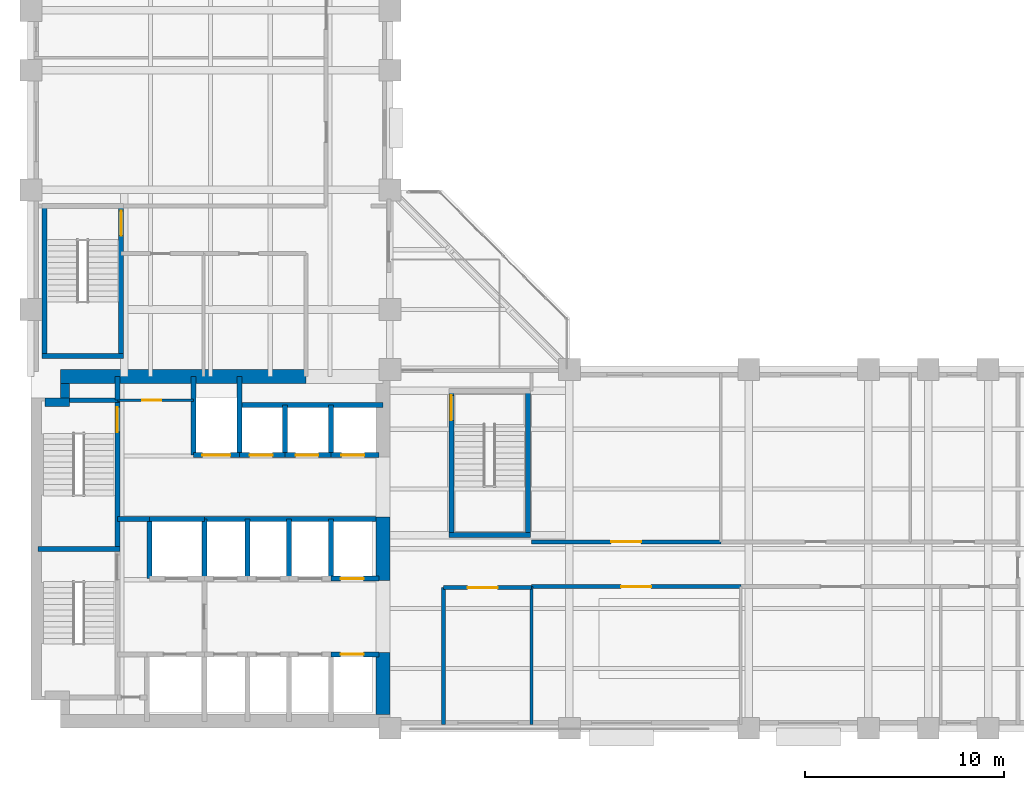
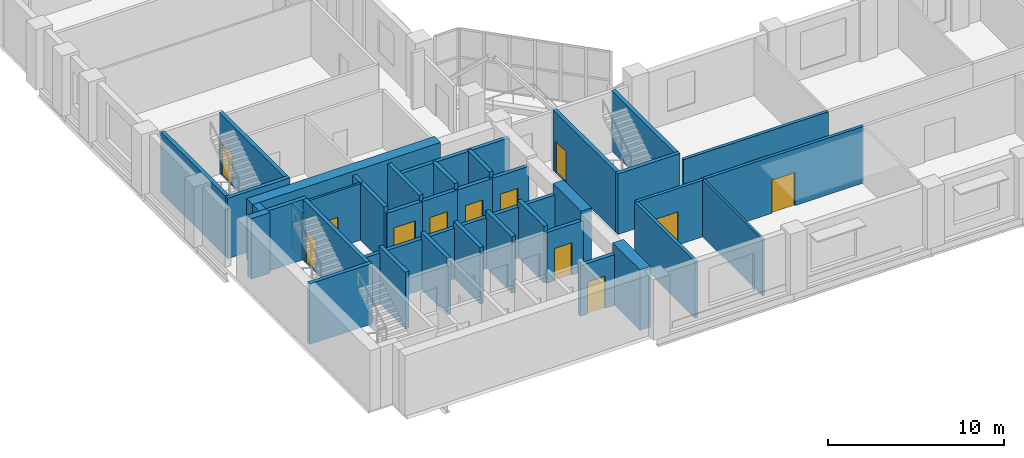
# One storey, part 5 of 10: 40 walls, 13 doors, 13 openings.
"""IFC4 building model written with IfcOpenShell, lengths in metres."""

import ifcopenshell
import ifcopenshell.guid

model = None  # the IFC model being written
_history = None  # IfcOwnerHistory: only IFC2X3 demands one
_inside = {}  # id of a spatial element -> (the spatial element, [elements in it])
_under = {}  # id of a project, library or spatial element -> (it, [spatial elements below it])
_declared = {}  # id of a project -> (the project, [libraries it declares])
_typed = {}  # id of a type object -> (the type object, [elements of that type])
_made_of = {}  # id of a material, layer set ... -> (it, [elements and type objects made of it])


def new_model(schema):
    """Start an empty IFC model of exactly this schema.

    Asked for "IFC4X3", IfcOpenShell would pick the latest addendum, in which some entities
    have other attributes; the version numbers below select the first issue.
    IFC2X3 requires an IfcOwnerHistory on every rooted entity: one is made here for all.
    """
    global model, _history
    if schema == "IFC4X3":
        model = ifcopenshell.file(schema_version=(4, 3, 0, 0))
    else:
        model = ifcopenshell.file(schema=schema)
    _inside.clear()
    _under.clear()
    _declared.clear()
    _typed.clear()
    _made_of.clear()
    _history = None
    if model.schema == "IFC2X3":
        org = make("IfcOrganization", Name="unknown")
        user = make(
            "IfcPersonAndOrganization",
            ThePerson=make("IfcPerson", FamilyName="unknown"),
            TheOrganization=org,
        )
        app = make(
            "IfcApplication",
            ApplicationDeveloper=org,
            Version="unknown",
            ApplicationFullName="unknown",
            ApplicationIdentifier="unknown",
        )
        _history = make(
            "IfcOwnerHistory",
            OwningUser=user,
            OwningApplication=app,
            ChangeAction="ADDED",
            CreationDate=0,
        )
    return model


def make(cls, **values):
    """One entity of the class cls with the attributes given. An attribute that is None is left unset."""
    return model.create_entity(
        cls, **{name: value for name, value in values.items() if value is not None}
    )


def rooted(cls, **values):
    """An entity with a GlobalId (a new one), such as an element, a storey or a relation."""
    return make(cls, GlobalId=ifcopenshell.guid.new(), OwnerHistory=_history, **values)


def si_unit(unit_type, name, prefix=None):
    """IfcSIUnit, for example si_unit("LENGTHUNIT", "METRE", prefix="MILLI")."""
    return make("IfcSIUnit", UnitType=unit_type, Prefix=prefix, Name=name)


def assignment(units):
    """IfcUnitAssignment: the units of a project."""
    return None if units is None else make("IfcUnitAssignment", Units=units)


def point(xyz):
    """IfcCartesianPoint."""
    return None if xyz is None else make("IfcCartesianPoint", Coordinates=xyz)


def direction(xyz):
    """IfcDirection."""
    return None if xyz is None else make("IfcDirection", DirectionRatios=xyz)


def frame(location, z_axis=None, x_axis=None):
    """IfcAxis2Placement3D, a coordinate frame: its origin and axes. An axis left out is left unset."""
    return make(
        "IfcAxis2Placement3D",
        Location=point(location),
        Axis=direction(z_axis),
        RefDirection=direction(x_axis),
    )


def frame_2d(location, x_axis=None):
    """IfcAxis2Placement2D, a coordinate frame in the plane: its origin and x axis."""
    return make(
        "IfcAxis2Placement2D", Location=point(location), RefDirection=direction(x_axis)
    )


def origin():
    """The frame at (0, 0, 0) with its axes left unset."""
    return frame((0.0, 0.0, 0.0))


def place(relative_to, where):
    """IfcLocalPlacement: puts the frame where relative to a parent placement (None: the world)."""
    return make(
        "IfcLocalPlacement", PlacementRelTo=relative_to, RelativePlacement=where
    )


def context(
    kind, dimensions, precision=None, world=None, true_north=None, identifier=None
):
    """IfcGeometricRepresentationContext, for example the 3D "Model" context."""
    return make(
        "IfcGeometricRepresentationContext",
        ContextIdentifier=identifier,
        ContextType=kind,
        CoordinateSpaceDimension=dimensions,
        Precision=precision,
        WorldCoordinateSystem=world,
        TrueNorth=true_north,
    )


def subcontext(parent, identifier, kind, view, scale=None):
    """IfcGeometricRepresentationSubContext, for example "Body" below "Model"."""
    return make(
        "IfcGeometricRepresentationSubContext",
        ContextIdentifier=identifier,
        ContextType=kind,
        ParentContext=parent,
        TargetScale=scale,
        TargetView=view,
    )


def project(units=None, contexts=None):
    """IfcProject with its units and contexts."""
    return rooted(
        "IfcProject",
        Name="project",
        RepresentationContexts=contexts,
        UnitsInContext=assignment(units),
    )


def spatial(cls, under=None, at=None, **own):
    """A site, building, storey or space (cls), placed at a placement, below another one or the project."""
    s = rooted(cls, ObjectPlacement=at, **own)
    if under is not None:
        _under.setdefault(under.id(), (under, []))[1].append(s)
    return s


def profile(cls, at=None, kind="AREA", **sizes):
    """A parametric profile (cls). Its sizes go by their IFC names, for example OverallWidth=200.0."""
    return make(cls, ProfileType=kind, Position=at, **sizes)


def rectangle(**sizes):
    """IfcRectangleProfileDef."""
    return profile("IfcRectangleProfileDef", **sizes)


def extrude(swept, where, along, depth):
    """IfcExtrudedAreaSolid: the profile swept, set in the frame where, extruded along a direction by depth."""
    return make(
        "IfcExtrudedAreaSolid",
        SweptArea=swept,
        Position=where,
        ExtrudedDirection=direction(along),
        Depth=depth,
    )


def shape(context_of_items, identifier, shape_type, items):
    """IfcShapeRepresentation: the items that make up one representation, for example the "Body"."""
    return make(
        "IfcShapeRepresentation",
        ContextOfItems=context_of_items,
        RepresentationIdentifier=identifier,
        RepresentationType=shape_type,
        Items=items,
    )


def material(Name=None, Category=None):
    """IfcMaterial."""
    return make("IfcMaterial", Name=Name, Category=Category)


def layer(
    of_material, thickness, ventilated=None, Name=None, Category=None, Priority=None
):
    """IfcMaterialLayer: one layer of a wall or slab, of a material (None: an air gap)."""
    return make(
        "IfcMaterialLayer",
        Material=of_material,
        LayerThickness=thickness,
        IsVentilated=ventilated,
        Name=Name,
        Category=Category,
        Priority=Priority,
    )


def layer_set(layers, Name=None):
    """IfcMaterialLayerSet."""
    return make("IfcMaterialLayerSet", MaterialLayers=layers, LayerSetName=Name)


def made_of(thing, what):
    """Note that an element or type object is made of a material, layer set ...; save() writes the relation."""
    if what is not None:
        _made_of.setdefault(what.id(), (what, []))[1].append(thing)
    return thing


def type_object(cls, material=None, **own):
    """A type object (cls), such as IfcWallType, which elements share."""
    return made_of(rooted(cls, **own), material)


def element(
    cls,
    number,
    at=None,
    inside=None,
    cuts=None,
    type_object=None,
    material=None,
    context=None,
    identifier="Body",
    shape_type=None,
    held_by="IfcProductDefinitionShape",
    body=None,
    shapes=None,
    **own,
):
    """One element of the class cls, such as IfcWall. Its Tag is "e" and its number.

    at: its placement. inside: the storey or other place that contains it. cuts: it is an
    opening in that element (IfcRelVoidsElement). A single representation is given by context,
    identifier, shape_type and body (its items); several are given by shapes. held_by: the class
    of the entity that holds the representations. save() writes the other relations.
    """
    e = rooted(cls, Tag="e%d" % number, ObjectPlacement=at, **own)
    if body is not None:
        shapes = [shape(context, identifier, shape_type, body)]
    if shapes is not None:
        e.Representation = make(held_by, Representations=shapes)
    if inside is not None:
        _inside.setdefault(inside.id(), (inside, []))[1].append(e)
    if cuts is not None:
        rooted(
            "IfcRelVoidsElement", RelatingBuildingElement=cuts, RelatedOpeningElement=e
        )
    if type_object is not None:
        _typed.setdefault(type_object.id(), (type_object, []))[1].append(e)
    return made_of(e, material)


def fill(opening, filler):
    """IfcRelFillsElement: the door or window that sits in an opening."""
    return rooted(
        "IfcRelFillsElement",
        RelatingOpeningElement=opening,
        RelatedBuildingElement=filler,
    )


def aggregate(whole, parts):
    """IfcRelAggregates: a whole, such as a stair, and the parts it consists of."""
    return rooted("IfcRelAggregates", RelatingObject=whole, RelatedObjects=parts)


def save(model, path):
    """Write the relations noted so far, then the file.

    IfcRelAggregates (storeys below a building ...), IfcRelContainedInSpatialStructure (elements
    in a storey), IfcRelDefinesByType, IfcRelAssociatesMaterial and IfcRelDeclares: one each for
    every whole, place, type object, material and project.
    """
    for whole, parts in _under.values():
        aggregate(whole, parts)
    for where, things in _inside.values():
        rooted(
            "IfcRelContainedInSpatialStructure",
            RelatedElements=things,
            RelatingStructure=where,
        )
    for kind, things in _typed.values():
        rooted("IfcRelDefinesByType", RelatedObjects=things, RelatingType=kind)
    for what, things in _made_of.values():
        rooted("IfcRelAssociatesMaterial", RelatedObjects=things, RelatingMaterial=what)
    for by, libraries in _declared.values():
        rooted("IfcRelDeclares", RelatingContext=by, RelatedDefinitions=libraries)
    model.write(path)


model = new_model("IFC4")

# Units and contexts
model_context = context("Model", 3, precision=1e-05, world=origin(), true_north=direction((0.0, 1.0)))
body_context = subcontext(model_context, "Body", "Model", "MODEL_VIEW")
ifc_project = project(units=[si_unit("LENGTHUNIT", "METRE"), si_unit("AREAUNIT", "SQUARE_METRE"), si_unit("VOLUMEUNIT", "CUBIC_METRE"), si_unit("PLANEANGLEUNIT", "RADIAN"), si_unit("MASSUNIT", "GRAM", prefix="KILO")], contexts=[model_context])

# Site, building, storey
site_placement = place(None, origin())
site = spatial("IfcSite", under=ifc_project, at=site_placement, CompositionType="ELEMENT")
building_placement = place(site_placement, origin())
building = spatial("IfcBuilding", under=site, at=building_placement, Name="Mawjdan Bourse Tower", CompositionType="ELEMENT")
storey_placement = place(building_placement, frame((0.0, 0.0, 89.10009765625)))
storey = spatial("IfcBuildingStorey", under=building, at=storey_placement, Name="L20", CompositionType="ELEMENT", Elevation=89.10009765625)

# Wall, opening, door
ifc_material_1 = material(Name="Gypsum Fireboard Assembly")
ifc_layer_1 = layer(ifc_material_1, 0.199951171875)
ifc_layer_set_1 = layer_set([ifc_layer_1], Name="Gypsum Fireboard Assembly")
wall_type_1 = type_object("IfcWallType", Name="WL-CMP-200", PredefinedType="PARTITIONING", material=ifc_layer_set_1)
wall_1_placement = place(storey_placement, frame((26.699951171875, 10.050048828125, 0.0), z_axis=(0.0, 0.0, 1.0), x_axis=(1.0, 0.0, 0.0)))
wall_1 = element("IfcWall", 1, at=wall_1_placement, inside=storey, type_object=wall_type_1, Name="L20 Sky Lobby North Wall", PredefinedType="PARTITIONING", context=body_context, shape_type="SweptSolid", body=[
    extrude(rectangle(XDim=4.400146484375, YDim=0.199951171875, at=frame_2d((2.2001953125, 0.0))), origin(), (0.0, 0.0, 1.0), 3.929931640625),
])
opening_1_placement = place(wall_1_placement, frame((1.199951171875, 0.0, 0.0)))
opening_1 = element("IfcOpeningElement", 2, at=opening_1_placement, cuts=wall_1, Name="Opening D-L20-26", PredefinedType="OPENING", context=body_context, shape_type="SweptSolid", body=[
    extrude(rectangle(XDim=1.5, YDim=2.300048828125, at=frame_2d((0.75, 1.14990234375))), frame((0.0, 0.10986328125, 0.0), z_axis=(0.0, -1.0, 0.0), x_axis=(1.0, 0.0, 0.0)), (0.0, 0.0, 1.0), 0.219970703125),
])
ifc_material_2 = material(Name="Acoustic Glazed Timber", Category="wood")
door_type_1 = type_object("IfcDoorType", Name="DR-CNF-1500", OperationType="DOUBLE_DOOR_SINGLE_SWING", PredefinedType="DOOR", material=ifc_material_2)
door_1_placement = place(opening_1_placement, origin())
door_1 = element("IfcDoor", 3, at=door_1_placement, inside=storey, type_object=door_type_1, Name="L20 Sky Lobby Corridor Door D-L20-26", OperationType="DOUBLE_DOOR_SINGLE_SWING", OverallHeight=2.300048828125, OverallWidth=1.5, PredefinedType="DOOR", context=body_context, shape_type="SweptSolid", body=[
    extrude(rectangle(XDim=1.5, YDim=2.300048828125, at=frame_2d((0.75, 1.14990234375))), frame((0.0, 0.02490234375, 0.0), z_axis=(0.0, -1.0, 0.0), x_axis=(1.0, 0.0, 0.0)), (0.0, 0.0, 1.0), 0.050048828125),
])
fill(opening_1, door_1)

# Wall
wall_2_placement = place(storey_placement, frame((26.699951171875, 3.179931640625, 0.0), z_axis=(0.0, 0.0, 1.0), x_axis=(0.0, 1.0, 0.0)))
element("IfcWall", 4, at=wall_2_placement, inside=storey, type_object=wall_type_1, Name="L20 Sky Lobby West Wall", PredefinedType="PARTITIONING", context=body_context, shape_type="SweptSolid", body=[
    extrude(rectangle(XDim=6.8701171875, YDim=0.199951171875, at=frame_2d((3.43505859375, 0.0))), origin(), (0.0, 0.0, 1.0), 3.929931640625),
])

# Wall, opening, door
wall_3_placement = place(storey_placement, frame((31.10009765625, 10.10009765625, 0.0), z_axis=(0.0, 0.0, 1.0), x_axis=(1.0, 0.0, 0.0)))
wall_3 = element("IfcWall", 5, at=wall_3_placement, inside=storey, type_object=wall_type_1, Name="L20 Sky Lobby Corridor Wall", PredefinedType="PARTITIONING", context=body_context, shape_type="SweptSolid", body=[
    extrude(rectangle(XDim=10.5, YDim=0.199951171875, at=frame_2d((5.25, 0.0))), origin(), (0.0, 0.0, 1.0), 3.929931640625),
])
opening_2_placement = place(wall_3_placement, frame((4.5, 0.0, 0.0)))
opening_2 = element("IfcOpeningElement", 6, at=opening_2_placement, cuts=wall_3, Name="Opening D-L20-27", PredefinedType="OPENING", context=body_context, shape_type="SweptSolid", body=[
    extrude(rectangle(XDim=1.5, YDim=2.300048828125, at=frame_2d((0.75, 1.14990234375))), frame((0.0, 0.10986328125, 0.0), z_axis=(0.0, -1.0, 0.0), x_axis=(1.0, 0.0, 0.0)), (0.0, 0.0, 1.0), 0.219970703125),
])
door_2_placement = place(opening_2_placement, origin())
door_2 = element("IfcDoor", 7, at=door_2_placement, inside=storey, type_object=door_type_1, Name="L20 Sky Lobby Door D-L20-27", OperationType="DOUBLE_DOOR_SINGLE_SWING", OverallHeight=2.300048828125, OverallWidth=1.5, PredefinedType="DOOR", context=body_context, shape_type="SweptSolid", body=[
    extrude(rectangle(XDim=1.5, YDim=2.300048828125, at=frame_2d((0.75, 1.14990234375))), frame((0.0, 0.02490234375, 0.0), z_axis=(0.0, -1.0, 0.0), x_axis=(1.0, 0.0, 0.0)), (0.0, 0.0, 1.0), 0.050048828125),
])
fill(opening_2, door_2)

wall_4_placement = place(storey_placement, frame((31.10009765625, 12.35009765625, 0.0), z_axis=(0.0, 0.0, 1.0), x_axis=(1.0, 0.0, 0.0)))
wall_4 = element("IfcWall", 8, at=wall_4_placement, inside=storey, type_object=wall_type_1, Name="L20 Conference Room Corridor Wall", PredefinedType="PARTITIONING", context=body_context, shape_type="SweptSolid", body=[
    extrude(rectangle(XDim=9.5, YDim=0.199951171875, at=frame_2d((4.75, 0.0))), origin(), (0.0, 0.0, 1.0), 3.929931640625),
])
opening_3_placement = place(wall_4_placement, frame((4.0, 0.0, 0.0)))
opening_3 = element("IfcOpeningElement", 9, at=opening_3_placement, cuts=wall_4, Name="Opening D-L20-30", PredefinedType="OPENING", context=body_context, shape_type="SweptSolid", body=[
    extrude(rectangle(XDim=1.5, YDim=2.300048828125, at=frame_2d((0.75, 1.14990234375))), frame((0.0, 0.10986328125, 0.0), z_axis=(0.0, -1.0, 0.0), x_axis=(1.0, 0.0, 0.0)), (0.0, 0.0, 1.0), 0.219970703125),
])
door_3_placement = place(opening_3_placement, origin())
door_3 = element("IfcDoor", 10, at=door_3_placement, inside=storey, type_object=door_type_1, Name="L20 Conference Room Door D-L20-30", OperationType="DOUBLE_DOOR_SINGLE_SWING", OverallHeight=2.300048828125, OverallWidth=1.5, PredefinedType="DOOR", context=body_context, shape_type="SweptSolid", body=[
    extrude(rectangle(XDim=1.5, YDim=2.300048828125, at=frame_2d((0.75, 1.14990234375))), frame((0.0, 0.02490234375, 0.0), z_axis=(0.0, -1.0, 0.0), x_axis=(1.0, 0.0, 0.0)), (0.0, 0.0, 1.0), 0.050048828125),
])
fill(opening_3, door_3)

# Walls
ifc_material_3 = material(Name="Concrete C60/75", Category="concrete")
ifc_layer_2 = layer(ifc_material_3, 0.449951171875)
ifc_layer_set_2 = layer_set([ifc_layer_2], Name="Concrete C60/75")
wall_type_2 = type_object("IfcWallType", Name="WL-CORE-450", PredefinedType="SHEAR", material=ifc_layer_set_2)
wall_5_placement = place(storey_placement, frame((6.699951171875, 19.35009765625, 0.0), z_axis=(0.0, 0.0, 1.0), x_axis=(1.0, 0.0, 0.0)))
element("IfcWall", 11, at=wall_5_placement, inside=storey, type_object=wall_type_2, Name="L20 Rear Core Shear Wall NW-X", PredefinedType="SHEAR", context=body_context, shape_type="SweptSolid", body=[
    extrude(rectangle(XDim=1.22509765625, YDim=0.449951171875, at=frame_2d((0.612548828125, 0.0))), origin(), (0.0, 0.0, 1.0), 4.199951171875),
])
wall_6_placement = place(storey_placement, frame((7.699951171875, 19.574951171875, 0.0), z_axis=(0.0, 0.0, 1.0), x_axis=(0.0, 1.0, 0.0)))
element("IfcWall", 12, at=wall_6_placement, inside=storey, type_object=wall_type_2, Name="L20 Rear Core Shear Wall NW-Y", PredefinedType="SHEAR", context=body_context, shape_type="SweptSolid", body=[
    extrude(rectangle(XDim=0.72509765625, YDim=0.449951171875, at=frame_2d((0.362548828125, 0.0))), origin(), (0.0, 0.0, 1.0), 4.199951171875),
])
ifc_material_4 = material(Name="Concrete C70/85", Category="concrete")
ifc_layer_3 = layer(ifc_material_4, 0.699951171875)
ifc_layer_set_3 = layer_set([ifc_layer_3], Name="Concrete C70/85")
wall_type_3 = type_object("IfcWallType", Name="WL-CORE-700", PredefinedType="SHEAR", material=ifc_layer_set_3)
wall_7_placement = place(storey_placement, frame((7.47509765625, 20.64990234375, 0.0), z_axis=(0.0, 0.0, 1.0), x_axis=(1.0, 0.0, 0.0)))
element("IfcWall", 13, at=wall_7_placement, inside=storey, type_object=wall_type_3, Name="L20 Rear Core Shear Wall N", PredefinedType="SHEAR", context=body_context, shape_type="SweptSolid", body=[
    extrude(rectangle(XDim=12.324951171875, YDim=0.699951171875, at=frame_2d((6.16259765625, 0.0))), origin(), (0.0, 0.0, 1.0), 4.199951171875),
])
wall_8_placement = place(storey_placement, frame((23.64990234375, 3.699951171875, 0.0), z_axis=(0.0, 0.0, 1.0), x_axis=(0.0, 1.0, 0.0)))
element("IfcWall", 14, at=wall_8_placement, inside=storey, type_object=wall_type_3, Name="L20 Rear Core Shear Wall E1", PredefinedType="SHEAR", context=body_context, shape_type="SweptSolid", body=[
    extrude(rectangle(XDim=3.10009765625, YDim=0.699951171875, at=frame_2d((1.550048828125, 0.0))), origin(), (0.0, 0.0, 1.0), 4.199951171875),
])
wall_9_placement = place(storey_placement, frame((23.64990234375, 10.39990234375, 0.0), z_axis=(0.0, 0.0, 1.0), x_axis=(0.0, 1.0, 0.0)))
element("IfcWall", 15, at=wall_9_placement, inside=storey, type_object=wall_type_3, Name="L20 Rear Core Shear Wall E2", PredefinedType="SHEAR", context=body_context, shape_type="SweptSolid", body=[
    extrude(rectangle(XDim=3.2001953125, YDim=0.699951171875, at=frame_2d((1.60009765625, 0.0))), origin(), (0.0, 0.0, 1.0), 4.199951171875),
])

# Wall, opening, door
ifc_material_5 = material(Name="Gypsum Acoustic Partition")
ifc_layer_4 = layer(ifc_material_5, 0.14990234375)
ifc_layer_set_4 = layer_set([ifc_layer_4], Name="Gypsum Acoustic Partition")
wall_type_4 = type_object("IfcWallType", Name="WL-PRT-150", PredefinedType="PARTITIONING", material=ifc_layer_set_4)
wall_10_placement = place(storey_placement, frame((10.330078125, 19.449951171875, 0.0), z_axis=(0.0, 0.0, 1.0), x_axis=(1.0, 0.0, 0.0)))
wall_10 = element("IfcWall", 16, at=wall_10_placement, inside=storey, type_object=wall_type_4, Name="L20 Housekeeping South Wall", PredefinedType="PARTITIONING", context=body_context, shape_type="SweptSolid", body=[
    extrude(rectangle(XDim=3.81982421875, YDim=0.14990234375, at=frame_2d((1.909912109375, 0.0))), origin(), (0.0, 0.0, 1.0), 3.929931640625),
])
opening_4_placement = place(wall_10_placement, frame((1.25, 0.0, 0.0)))
opening_4 = element("IfcOpeningElement", 17, at=opening_4_placement, cuts=wall_10, Name="Opening D-L20-21", PredefinedType="OPENING", context=body_context, shape_type="SweptSolid", body=[
    extrude(rectangle(XDim=0.949951171875, YDim=2.10009765625, at=frame_2d((0.47509765625, 1.050048828125))), frame((0.0, 0.0849609375, 0.0), z_axis=(0.0, -1.0, 0.0), x_axis=(1.0, 0.0, 0.0)), (0.0, 0.0, 1.0), 0.169921875),
])
ifc_material_6 = material(Name="Moisture-Resistant Laminate Timber", Category="wood")
door_type_2 = type_object("IfcDoorType", Name="DR-WET-0950", OperationType="NOTDEFINED", PredefinedType="DOOR", material=ifc_material_6)
door_4_placement = place(opening_4_placement, origin())
door_4 = element("IfcDoor", 18, at=door_4_placement, inside=storey, type_object=door_type_2, Name="L20 Housekeeping Closet Door D-L20-21", OperationType="SINGLE_SWING_LEFT", OverallHeight=2.10009765625, OverallWidth=0.949951171875, PredefinedType="DOOR", context=body_context, shape_type="SweptSolid", body=[
    extrude(rectangle(XDim=0.949951171875, YDim=2.10009765625, at=frame_2d((0.47509765625, 1.050048828125))), frame((0.0, 0.02490234375, 0.0), z_axis=(0.0, -1.0, 0.0), x_axis=(1.0, 0.0, 0.0)), (0.0, 0.0, 1.0), 0.050048828125),
])
fill(opening_4, door_4)

# Walls
wall_11_placement = place(storey_placement, frame((31.10009765625, 3.179931640625, 0.0), z_axis=(0.0, 0.0, 1.0), x_axis=(0.0, 1.0, 0.0)))
element("IfcWall", 19, at=wall_11_placement, inside=storey, type_object=wall_type_4, Name="L20 Sky Lobby East Wall", PredefinedType="PARTITIONING", context=body_context, shape_type="SweptSolid", body=[
    extrude(rectangle(XDim=6.920166015625, YDim=0.14990234375, at=frame_2d((3.4599609375, 0.0))), origin(), (0.0, 0.0, 1.0), 3.929931640625),
])
ifc_material_7 = material(Name="Concrete C50/60", Category="concrete")
ifc_layer_5 = layer(ifc_material_7, 0.25)
ifc_layer_set_5 = layer_set([ifc_layer_5], Name="Concrete C50/60")
wall_type_5 = type_object("IfcWallType", Name="WL-SHFT-250", PredefinedType="PARTITIONING", material=ifc_layer_set_5)
wall_12_placement = place(storey_placement, frame((10.330078125, 19.449951171875, 0.0), z_axis=(0.0, 0.0, 1.0), x_axis=(0.0, 1.0, 0.0)))
element("IfcWall", 20, at=wall_12_placement, inside=storey, type_object=wall_type_5, Name="L20 NW Riser East Wall", PredefinedType="PARTITIONING", context=body_context, shape_type="SweptSolid", body=[
    extrude(rectangle(XDim=1.199951171875, YDim=0.25, at=frame_2d((0.60009765625, 0.0))), origin(), (0.0, 0.0, 1.0), 3.216796875),
])
wall_13_placement = place(storey_placement, frame((11.949951171875, 10.5, 0.0), z_axis=(0.0, 0.0, 1.0), x_axis=(0.0, 1.0, 0.0)))
element("IfcWall", 21, at=wall_13_placement, inside=storey, type_object=wall_type_5, Name="L20 FFL-02 West Shaft Wall", PredefinedType="PARTITIONING", context=body_context, shape_type="SweptSolid", body=[
    extrude(rectangle(XDim=3.0, YDim=0.25, at=frame_2d((1.5, 0.0))), origin(), (0.0, 0.0, 1.0), 3.929931640625),
])
wall_14_placement = place(storey_placement, frame((11.949951171875, 13.5, 0.0), z_axis=(0.0, 0.0, 1.0), x_axis=(1.0, 0.0, 0.0)))
element("IfcWall", 22, at=wall_14_placement, inside=storey, type_object=wall_type_5, Name="L20 FFL-02 North Shaft Wall", PredefinedType="PARTITIONING", context=body_context, shape_type="SweptSolid", body=[
    extrude(rectangle(XDim=2.75, YDim=0.25, at=frame_2d((1.375, 0.0))), origin(), (0.0, 0.0, 1.0), 3.52685546875),
])
wall_15_placement = place(storey_placement, frame((14.699951171875, 10.5, 0.0), z_axis=(0.0, 0.0, 1.0), x_axis=(0.0, 1.0, 0.0)))
element("IfcWall", 23, at=wall_15_placement, inside=storey, type_object=wall_type_5, Name="L20 FFL-02 East Shaft Wall", PredefinedType="PARTITIONING", context=body_context, shape_type="SweptSolid", body=[
    extrude(rectangle(XDim=3.0, YDim=0.25, at=frame_2d((1.5, 0.0))), origin(), (0.0, 0.0, 1.0), 3.929931640625),
])
wall_16_placement = place(storey_placement, frame((10.330078125, 13.5, 0.0), z_axis=(0.0, 0.0, 1.0), x_axis=(1.0, 0.0, 0.0)))
element("IfcWall", 24, at=wall_16_placement, inside=storey, type_object=wall_type_5, Name="L20 Firefighting Lobby North Compartment Wall", PredefinedType="PARTITIONING", context=body_context, shape_type="SweptSolid", body=[
    extrude(rectangle(XDim=1.619873046875, YDim=0.25, at=frame_2d((0.81005859375, 0.0))), origin(), (0.0, 0.0, 1.0), 3.52685546875),
])

# Wall, opening, door
wall_17_placement = place(storey_placement, frame((14.14990234375, 16.699951171875, 0.0), z_axis=(0.0, 0.0, 1.0), x_axis=(1.0, 0.0, 0.0)))
wall_17 = element("IfcWall", 25, at=wall_17_placement, inside=storey, type_object=wall_type_5, Name="L20 SVL-01 Front Shaft Wall", PredefinedType="PARTITIONING", context=body_context, shape_type="SweptSolid", body=[
    extrude(rectangle(XDim=2.300048828125, YDim=0.25, at=frame_2d((1.14990234375, 0.0))), origin(), (0.0, 0.0, 1.0), 3.52685546875),
])
opening_5_placement = place(wall_17_placement, frame((0.449951171875, 0.0, 0.0)))
opening_5 = element("IfcOpeningElement", 26, at=opening_5_placement, cuts=wall_17, Name="Opening LD-L20-09", PredefinedType="OPENING", context=body_context, shape_type="SweptSolid", body=[
    extrude(rectangle(XDim=1.39990234375, YDim=2.35009765625, at=frame_2d((0.699951171875, 1.175048828125))), frame((0.0, 0.135009765625, 0.0), z_axis=(0.0, -1.0, 0.0), x_axis=(1.0, 0.0, 0.0)), (0.0, 0.0, 1.0), 0.27001953125),
])
ifc_material_8 = material(Name="Heavy-Duty Stainless Steel", Category="steel")
door_type_3 = type_object("IfcDoorType", Name="LD-SRV-1400", OperationType="DOUBLE_DOOR_SLIDING", PredefinedType="DOOR", material=ifc_material_8)
door_5_placement = place(opening_5_placement, origin())
door_5 = element("IfcDoor", 27, at=door_5_placement, inside=storey, type_object=door_type_3, Name="L20 Service Lift SVL-01 Landing Door LD-L20-09", OperationType="DOUBLE_DOOR_SLIDING", OverallHeight=2.35009765625, OverallWidth=1.39990234375, PredefinedType="DOOR", context=body_context, shape_type="SweptSolid", body=[
    extrude(rectangle(XDim=1.39990234375, YDim=2.35009765625, at=frame_2d((0.699951171875, 1.175048828125))), frame((0.0, 0.02490234375, 0.0), z_axis=(0.0, -1.0, 0.0), x_axis=(1.0, 0.0, 0.0)), (0.0, 0.0, 1.0), 0.050048828125),
])
fill(opening_5, door_5)

# Walls
for number, where, z_axis, x_axis, name in (
    (28, (14.14990234375, 16.699951171875, 0.0), (0.0, 0.0, 1.0), (0.0, 1.0, 0.0), "L20 SVL-01 West Shaft Wall"),
    (29, (16.449951171875, 16.699951171875, 0.0), (0.0, 0.0, 1.0), (0.0, 1.0, 0.0), "L20 SVL-01 East Shaft Wall"),
):
    element("IfcWall", number, at=place(storey_placement, frame(where, z_axis=z_axis, x_axis=x_axis)), inside=storey, type_object=wall_type_5, Name=name, PredefinedType="PARTITIONING", context=body_context, shape_type="SweptSolid", body=[
        extrude(rectangle(XDim=3.949951171875, YDim=0.25, at=frame_2d((1.97509765625, 0.0))), origin(), (0.0, 0.0, 1.0), 3.929931640625),
    ])

# Wall, opening, door
wall_18_placement = place(storey_placement, frame((16.449951171875, 16.699951171875, 0.0), z_axis=(0.0, 0.0, 1.0), x_axis=(1.0, 0.0, 0.0)))
wall_18 = element("IfcWall", 30, at=wall_18_placement, inside=storey, type_object=wall_type_5, Name="L20 PH-01 Front Wall", PredefinedType="PARTITIONING", context=body_context, shape_type="SweptSolid", body=[
    extrude(rectangle(XDim=2.300048828125, YDim=0.25, at=frame_2d((1.14990234375, 0.0))), origin(), (0.0, 0.0, 1.0), 3.52685546875),
])
opening_6_placement = place(wall_18_placement, frame((0.52001953125, 0.0, 0.0)))
opening_6 = element("IfcOpeningElement", 31, at=opening_6_placement, cuts=wall_18, Name="Opening LD-L20-10", PredefinedType="OPENING", context=body_context, shape_type="SweptSolid", body=[
    extrude(rectangle(XDim=1.14990234375, YDim=2.25, at=frame_2d((0.574951171875, 1.125))), frame((0.0, 0.135009765625, 0.0), z_axis=(0.0, -1.0, 0.0), x_axis=(1.0, 0.0, 0.0)), (0.0, 0.0, 1.0), 0.27001953125),
])
ifc_material_9 = material(Name="Brushed Stainless Steel", Category="steel")
door_type_4 = type_object("IfcDoorType", Name="LD-PAS-1150", OperationType="DOUBLE_DOOR_SLIDING", PredefinedType="DOOR", material=ifc_material_9)
door_6_placement = place(opening_6_placement, origin())
door_6 = element("IfcDoor", 32, at=door_6_placement, inside=storey, type_object=door_type_4, Name="L20 Lift PH-01 Landing Door LD-L20-10", OperationType="DOUBLE_DOOR_SLIDING", OverallHeight=2.25, OverallWidth=1.14990234375, PredefinedType="DOOR", context=body_context, shape_type="SweptSolid", body=[
    extrude(rectangle(XDim=1.14990234375, YDim=2.25, at=frame_2d((0.574951171875, 1.125))), frame((0.0, 0.02490234375, 0.0), z_axis=(0.0, -1.0, 0.0), x_axis=(1.0, 0.0, 0.0)), (0.0, 0.0, 1.0), 0.050048828125),
])
fill(opening_6, door_6)

# Wall
wall_19_placement = place(storey_placement, frame((18.75, 16.699951171875, 0.0), z_axis=(0.0, 0.0, 1.0), x_axis=(0.0, 1.0, 0.0)))
element("IfcWall", 33, at=wall_19_placement, inside=storey, type_object=wall_type_5, Name="L20 PH-01 Divider Wall", PredefinedType="PARTITIONING", context=body_context, shape_type="SweptSolid", body=[
    extrude(rectangle(XDim=2.5, YDim=0.25, at=frame_2d((1.25, 0.0))), origin(), (0.0, 0.0, 1.0), 3.929931640625),
])

# Wall, opening, door
wall_20_placement = place(storey_placement, frame((18.75, 16.699951171875, 0.0), z_axis=(0.0, 0.0, 1.0), x_axis=(1.0, 0.0, 0.0)))
wall_20 = element("IfcWall", 34, at=wall_20_placement, inside=storey, type_object=wall_type_5, Name="L20 PH-02 Front Wall", PredefinedType="PARTITIONING", context=body_context, shape_type="SweptSolid", body=[
    extrude(rectangle(XDim=2.300048828125, YDim=0.25, at=frame_2d((1.14990234375, 0.0))), origin(), (0.0, 0.0, 1.0), 3.52685546875),
])
opening_7_placement = place(wall_20_placement, frame((0.52001953125, 0.0, 0.0)))
opening_7 = element("IfcOpeningElement", 35, at=opening_7_placement, cuts=wall_20, Name="Opening LD-L20-11", PredefinedType="OPENING", context=body_context, shape_type="SweptSolid", body=[
    extrude(rectangle(XDim=1.14990234375, YDim=2.25, at=frame_2d((0.574951171875, 1.125))), frame((0.0, 0.135009765625, 0.0), z_axis=(0.0, -1.0, 0.0), x_axis=(1.0, 0.0, 0.0)), (0.0, 0.0, 1.0), 0.27001953125),
])
door_7_placement = place(opening_7_placement, origin())
door_7 = element("IfcDoor", 36, at=door_7_placement, inside=storey, type_object=door_type_4, Name="L20 Lift PH-02 Landing Door LD-L20-11", OperationType="DOUBLE_DOOR_SLIDING", OverallHeight=2.25, OverallWidth=1.14990234375, PredefinedType="DOOR", context=body_context, shape_type="SweptSolid", body=[
    extrude(rectangle(XDim=1.14990234375, YDim=2.25, at=frame_2d((0.574951171875, 1.125))), frame((0.0, 0.02490234375, 0.0), z_axis=(0.0, -1.0, 0.0), x_axis=(1.0, 0.0, 0.0)), (0.0, 0.0, 1.0), 0.050048828125),
])
fill(opening_7, door_7)

# Wall
wall_21_placement = place(storey_placement, frame((21.050048828125, 16.699951171875, 0.0), z_axis=(0.0, 0.0, 1.0), x_axis=(0.0, 1.0, 0.0)))
element("IfcWall", 37, at=wall_21_placement, inside=storey, type_object=wall_type_5, Name="L20 PH-02 Divider Wall", PredefinedType="PARTITIONING", context=body_context, shape_type="SweptSolid", body=[
    extrude(rectangle(XDim=2.5, YDim=0.25, at=frame_2d((1.25, 0.0))), origin(), (0.0, 0.0, 1.0), 3.929931640625),
])

# Wall, opening, door
wall_22_placement = place(storey_placement, frame((21.050048828125, 16.699951171875, 0.0), z_axis=(0.0, 0.0, 1.0), x_axis=(1.0, 0.0, 0.0)))
wall_22 = element("IfcWall", 38, at=wall_22_placement, inside=storey, type_object=wall_type_5, Name="L20 PH-03 Front Wall", PredefinedType="PARTITIONING", context=body_context, shape_type="SweptSolid", body=[
    extrude(rectangle(XDim=2.39990234375, YDim=0.25, at=frame_2d((1.199951171875, 0.0))), origin(), (0.0, 0.0, 1.0), 3.52685546875),
])
opening_8_placement = place(wall_22_placement, frame((0.52001953125, 0.0, 0.0)))
opening_8 = element("IfcOpeningElement", 39, at=opening_8_placement, cuts=wall_22, Name="Opening LD-L20-12", PredefinedType="OPENING", context=body_context, shape_type="SweptSolid", body=[
    extrude(rectangle(XDim=1.14990234375, YDim=2.25, at=frame_2d((0.574951171875, 1.125))), frame((0.0, 0.135009765625, 0.0), z_axis=(0.0, -1.0, 0.0), x_axis=(1.0, 0.0, 0.0)), (0.0, 0.0, 1.0), 0.27001953125),
])
door_8_placement = place(opening_8_placement, origin())
door_8 = element("IfcDoor", 40, at=door_8_placement, inside=storey, type_object=door_type_4, Name="L20 Lift PH-03 Landing Door LD-L20-12", OperationType="DOUBLE_DOOR_SLIDING", OverallHeight=2.25, OverallWidth=1.14990234375, PredefinedType="DOOR", context=body_context, shape_type="SweptSolid", body=[
    extrude(rectangle(XDim=1.14990234375, YDim=2.25, at=frame_2d((0.574951171875, 1.125))), frame((0.0, 0.02490234375, 0.0), z_axis=(0.0, -1.0, 0.0), x_axis=(1.0, 0.0, 0.0)), (0.0, 0.0, 1.0), 0.050048828125),
])
fill(opening_8, door_8)

# Wall
wall_23_placement = place(storey_placement, frame((16.449951171875, 19.199951171875, 0.0), z_axis=(0.0, 0.0, 1.0), x_axis=(1.0, 0.0, 0.0)))
element("IfcWall", 41, at=wall_23_placement, inside=storey, type_object=wall_type_5, Name="L20 PH Bank North Shaft Back Wall", PredefinedType="PARTITIONING", context=body_context, shape_type="SweptSolid", body=[
    extrude(rectangle(XDim=7.199951171875, YDim=0.25, at=frame_2d((3.60009765625, 0.0))), origin(), (0.0, 0.0, 1.0), 3.929931640625),
])

# Wall, opening, door
wall_24_placement = place(storey_placement, frame((21.050048828125, 6.699951171875, 0.0), z_axis=(0.0, 0.0, 1.0), x_axis=(1.0, 0.0, 0.0)))
wall_24 = element("IfcWall", 42, at=wall_24_placement, inside=storey, type_object=wall_type_5, Name="L20 PL-03 Front Wall", PredefinedType="PARTITIONING", context=body_context, shape_type="SweptSolid", body=[
    extrude(rectangle(XDim=2.39990234375, YDim=0.25, at=frame_2d((1.199951171875, 0.0))), origin(), (0.0, 0.0, 1.0), 3.52685546875),
])
opening_9_placement = place(wall_24_placement, frame((0.47998046875, 0.0, 0.0)))
opening_9 = element("IfcOpeningElement", 43, at=opening_9_placement, cuts=wall_24, Name="Opening LD-L20-16", PredefinedType="OPENING", context=body_context, shape_type="SweptSolid", body=[
    extrude(rectangle(XDim=1.14990234375, YDim=2.25, at=frame_2d((0.574951171875, 1.125))), frame((0.0, 0.135009765625, 0.0), z_axis=(0.0, -1.0, 0.0), x_axis=(1.0, 0.0, 0.0)), (0.0, 0.0, 1.0), 0.27001953125),
])
door_9_placement = place(opening_9_placement, origin())
door_9 = element("IfcDoor", 44, at=door_9_placement, inside=storey, type_object=door_type_4, Name="L20 Lift PL-03 Landing Door LD-L20-16", OperationType="DOUBLE_DOOR_SLIDING", OverallHeight=2.25, OverallWidth=1.14990234375, PredefinedType="DOOR", context=body_context, shape_type="SweptSolid", body=[
    extrude(rectangle(XDim=1.14990234375, YDim=2.25, at=frame_2d((0.574951171875, 1.125))), frame((0.0, 0.02490234375, 0.0), z_axis=(0.0, -1.0, 0.0), x_axis=(1.0, 0.0, 0.0)), (0.0, 0.0, 1.0), 0.050048828125),
])
fill(opening_9, door_9)

# Walls
for number, where, z_axis, x_axis, name in (
    (45, (16.85009765625, 10.5, 0.0), (0.0, 0.0, 1.0), (0.0, 1.0, 0.0), "L20 PM-01 Divider Wall"),
    (46, (18.949951171875, 10.5, 0.0), (0.0, 0.0, 1.0), (0.0, 1.0, 0.0), "L20 PM-02 Divider Wall"),
    (47, (21.050048828125, 10.5, 0.0), (0.0, 0.0, 1.0), (0.0, 1.0, 0.0), "L20 PM-03 Divider Wall"),
):
    element("IfcWall", number, at=place(storey_placement, frame(where, z_axis=z_axis, x_axis=x_axis)), inside=storey, type_object=wall_type_5, Name=name, PredefinedType="PARTITIONING", context=body_context, shape_type="SweptSolid", body=[
        extrude(rectangle(XDim=3.0, YDim=0.25, at=frame_2d((1.5, 0.0))), origin(), (0.0, 0.0, 1.0), 3.929931640625),
    ])

# Wall, opening, door
wall_25_placement = place(storey_placement, frame((21.050048828125, 10.5, 0.0), z_axis=(0.0, 0.0, 1.0), x_axis=(1.0, 0.0, 0.0)))
wall_25 = element("IfcWall", 48, at=wall_25_placement, inside=storey, type_object=wall_type_5, Name="L20 PM-04 Front Wall", PredefinedType="PARTITIONING", context=body_context, shape_type="SweptSolid", body=[
    extrude(rectangle(XDim=2.39990234375, YDim=0.25, at=frame_2d((1.199951171875, 0.0))), origin(), (0.0, 0.0, 1.0), 3.52685546875),
])
opening_10_placement = place(wall_25_placement, frame((0.47998046875, 0.0, 0.0)))
opening_10 = element("IfcOpeningElement", 49, at=opening_10_placement, cuts=wall_25, Name="Opening LD-L20-20", PredefinedType="OPENING", context=body_context, shape_type="SweptSolid", body=[
    extrude(rectangle(XDim=1.14990234375, YDim=2.25, at=frame_2d((0.574951171875, 1.125))), frame((0.0, 0.135009765625, 0.0), z_axis=(0.0, -1.0, 0.0), x_axis=(1.0, 0.0, 0.0)), (0.0, 0.0, 1.0), 0.27001953125),
])
door_10_placement = place(opening_10_placement, origin())
door_10 = element("IfcDoor", 50, at=door_10_placement, inside=storey, type_object=door_type_4, Name="L20 Lift PM-04 Landing Door LD-L20-20", OperationType="DOUBLE_DOOR_SLIDING", OverallHeight=2.25, OverallWidth=1.14990234375, PredefinedType="DOOR", context=body_context, shape_type="SweptSolid", body=[
    extrude(rectangle(XDim=1.14990234375, YDim=2.25, at=frame_2d((0.574951171875, 1.125))), frame((0.0, 0.02490234375, 0.0), z_axis=(0.0, -1.0, 0.0), x_axis=(1.0, 0.0, 0.0)), (0.0, 0.0, 1.0), 0.050048828125),
])
fill(opening_10, door_10)

# Walls
wall_26_placement = place(storey_placement, frame((14.699951171875, 13.5, 0.0), z_axis=(0.0, 0.0, 1.0), x_axis=(1.0, 0.0, 0.0)))
element("IfcWall", 51, at=wall_26_placement, inside=storey, type_object=wall_type_5, Name="L20 PM Bank North Shaft Back Wall", PredefinedType="PARTITIONING", context=body_context, shape_type="SweptSolid", body=[
    extrude(rectangle(XDim=8.949951171875, YDim=0.25, at=frame_2d((4.47509765625, 0.0))), origin(), (0.0, 0.0, 1.0), 3.52685546875),
])
ifc_layer_6 = layer(ifc_material_7, 0.25)
ifc_layer_set_6 = layer_set([ifc_layer_6], Name="Concrete C50/60")
wall_type_6 = type_object("IfcWallType", Name="WL-STRW-250", PredefinedType="SHEAR", material=ifc_layer_set_6)
wall_27_placement = place(storey_placement, frame((6.35009765625, 12.0, 0.0), z_axis=(0.0, 0.0, 1.0), x_axis=(1.0, 0.0, 0.0)))
element("IfcWall", 52, at=wall_27_placement, inside=storey, type_object=wall_type_6, Name="L20 Stairwell Dividing Shaft Wall", PredefinedType="SHEAR", context=body_context, shape_type="SweptSolid", body=[
    extrude(rectangle(XDim=4.10498046875, YDim=0.25, at=frame_2d((2.052490234375, 0.0))), origin(), (0.0, 0.0, 1.0), 4.199951171875),
])
wall_28_placement = place(storey_placement, frame((7.699951171875, 19.449951171875, 0.0), z_axis=(0.0, 0.0, 1.0), x_axis=(1.0, 0.0, 0.0)))
element("IfcWall", 53, at=wall_28_placement, inside=storey, type_object=wall_type_6, Name="L20 Stairwell ST2 North Shaft Wall", PredefinedType="SHEAR", context=body_context, shape_type="SweptSolid", body=[
    extrude(rectangle(XDim=2.755126953125, YDim=0.25, at=frame_2d((1.37744140625, 0.0))), origin(), (0.0, 0.0, 1.0), 4.199951171875),
])

# Wall, opening, door
wall_29_placement = place(storey_placement, frame((10.330078125, 12.0, 0.0), z_axis=(0.0, 0.0, 1.0), x_axis=(0.0, 1.0, 0.0)))
wall_29 = element("IfcWall", 54, at=wall_29_placement, inside=storey, type_object=wall_type_6, Name="L20 Stairwell ST2 East Enclosure Wall", PredefinedType="SHEAR", context=body_context, shape_type="SweptSolid", body=[
    extrude(rectangle(XDim=7.449951171875, YDim=0.25, at=frame_2d((3.72509765625, 0.0))), origin(), (0.0, 0.0, 1.0), 4.199951171875),
])
opening_11_placement = place(wall_29_placement, frame((5.85009765625, 0.0, 0.0)))
opening_11 = element("IfcOpeningElement", 55, at=opening_11_placement, cuts=wall_29, Name="Opening SD-L20-02", PredefinedType="OPENING", context=body_context, shape_type="SweptSolid", body=[
    extrude(rectangle(XDim=1.25, YDim=2.199951171875, at=frame_2d((0.625, 1.10009765625))), frame((0.0, 0.135009765625, 0.0), z_axis=(0.0, -1.0, 0.0), x_axis=(1.0, 0.0, 0.0)), (0.0, 0.0, 1.0), 0.27001953125),
])
ifc_material_10 = material(Name="Fire-Rated Steel Leaf", Category="steel")
door_type_5 = type_object("IfcDoorType", Name="FD-ST-1250", OperationType="NOTDEFINED", PredefinedType="DOOR", material=ifc_material_10)
door_11_placement = place(opening_11_placement, origin())
door_11 = element("IfcDoor", 56, at=door_11_placement, inside=storey, type_object=door_type_5, Name="L20 Exit Stair ST2 Fire Door SD-L20-02", OperationType="SINGLE_SWING_RIGHT", OverallHeight=2.199951171875, OverallWidth=1.25, PredefinedType="DOOR", context=body_context, shape_type="SweptSolid", body=[
    extrude(rectangle(XDim=1.25, YDim=2.199951171875, at=frame_2d((0.625, 1.10009765625))), frame((0.0, 0.02490234375, 0.0), z_axis=(0.0, -1.0, 0.0), x_axis=(1.0, 0.0, 0.0)), (0.0, 0.0, 1.0), 0.050048828125),
])
fill(opening_11, door_11)

# Walls
wall_30_placement = place(storey_placement, frame((26.955078125, 12.679931640625, 0.0), z_axis=(0.0, 0.0, 1.0), x_axis=(1.0, 0.0, 0.0)))
element("IfcWall", 57, at=wall_30_placement, inside=storey, type_object=wall_type_6, Name="L20 ST5A South Shaft Wall", PredefinedType="SHEAR", context=body_context, shape_type="SweptSolid", body=[
    extrude(rectangle(XDim=4.08984375, YDim=0.25, at=frame_2d((2.044921875, 0.0))), origin(), (0.0, 0.0, 1.0), 4.199951171875),
])
wall_31_placement = place(storey_placement, frame((30.919921875, 12.679931640625, 0.0), z_axis=(0.0, 0.0, 1.0), x_axis=(0.0, 1.0, 0.0)))
element("IfcWall", 58, at=wall_31_placement, inside=storey, type_object=wall_type_6, Name="L20 ST5A East Shaft Wall", PredefinedType="SHEAR", context=body_context, shape_type="SweptSolid", body=[
    extrude(rectangle(XDim=7.239990234375, YDim=0.25, at=frame_2d((3.6201171875, 0.0))), origin(), (0.0, 0.0, 1.0), 4.199951171875),
])

# Wall, opening, door
wall_32_placement = place(storey_placement, frame((27.080078125, 12.679931640625, 0.0), z_axis=(0.0, 0.0, 1.0), x_axis=(0.0, 1.0, 0.0)))
wall_32 = element("IfcWall", 59, at=wall_32_placement, inside=storey, type_object=wall_type_6, Name="L20 ST5A West Shaft Wall", PredefinedType="SHEAR", context=body_context, shape_type="SweptSolid", body=[
    extrude(rectangle(XDim=7.239990234375, YDim=0.25, at=frame_2d((3.6201171875, 0.0))), origin(), (0.0, 0.0, 1.0), 4.199951171875),
])
opening_12_placement = place(wall_32_placement, frame((5.760009765625, 0.0, 0.0)))
opening_12 = element("IfcOpeningElement", 60, at=opening_12_placement, cuts=wall_32, Name="Opening SD-L20-22", PredefinedType="OPENING", context=body_context, shape_type="SweptSolid", body=[
    extrude(rectangle(XDim=1.25, YDim=2.199951171875, at=frame_2d((0.625, 1.10009765625))), frame((0.0, 0.135009765625, 0.0), z_axis=(0.0, -1.0, 0.0), x_axis=(1.0, 0.0, 0.0)), (0.0, 0.0, 1.0), 0.27001953125),
])
door_12_placement = place(opening_12_placement, origin())
door_12 = element("IfcDoor", 61, at=door_12_placement, inside=storey, type_object=door_type_5, Name="L20 Stair ST5A Fire Door SD-L20-22", OperationType="SINGLE_SWING_RIGHT", OverallHeight=2.199951171875, OverallWidth=1.25, PredefinedType="DOOR", context=body_context, shape_type="SweptSolid", body=[
    extrude(rectangle(XDim=1.25, YDim=2.199951171875, at=frame_2d((0.625, 1.10009765625))), frame((0.0, 0.02490234375, 0.0), z_axis=(0.0, -1.0, 0.0), x_axis=(1.0, 0.0, 0.0)), (0.0, 0.0, 1.0), 0.050048828125),
])
fill(opening_12, door_12)

# Walls
wall_33_placement = place(storey_placement, frame((6.554931640625, 21.679931640625, 0.0), z_axis=(0.0, 0.0, 1.0), x_axis=(1.0, 0.0, 0.0)))
element("IfcWall", 62, at=wall_33_placement, inside=storey, type_object=wall_type_6, Name="L20 ST3 South Shaft Wall", PredefinedType="SHEAR", context=body_context, shape_type="SweptSolid", body=[
    extrude(rectangle(XDim=4.090087890625, YDim=0.25, at=frame_2d((2.044921875, 0.0))), origin(), (0.0, 0.0, 1.0), 4.199951171875),
])
wall_34_placement = place(storey_placement, frame((6.679931640625, 21.679931640625, 0.0), z_axis=(0.0, 0.0, 1.0), x_axis=(0.0, 1.0, 0.0)))
element("IfcWall", 63, at=wall_34_placement, inside=storey, type_object=wall_type_6, Name="L20 ST3 West Shaft Wall", PredefinedType="SHEAR", context=body_context, shape_type="SweptSolid", body=[
    extrude(rectangle(XDim=7.5, YDim=0.25, at=frame_2d((3.75, 0.0))), origin(), (0.0, 0.0, 1.0), 4.199951171875),
])

# Wall, opening, door
wall_35_placement = place(storey_placement, frame((10.52001953125, 21.679931640625, 0.0), z_axis=(0.0, 0.0, 1.0), x_axis=(0.0, 1.0, 0.0)))
wall_35 = element("IfcWall", 64, at=wall_35_placement, inside=storey, type_object=wall_type_6, Name="L20 ST3 East Shaft Wall", PredefinedType="SHEAR", context=body_context, shape_type="SweptSolid", body=[
    extrude(rectangle(XDim=7.5, YDim=0.25, at=frame_2d((3.75, 0.0))), origin(), (0.0, 0.0, 1.0), 4.199951171875),
])
opening_13_placement = place(wall_35_placement, frame((6.02001953125, 0.0, 0.0)))
opening_13 = element("IfcOpeningElement", 65, at=opening_13_placement, cuts=wall_35, Name="Opening SD-L20-23", PredefinedType="OPENING", context=body_context, shape_type="SweptSolid", body=[
    extrude(rectangle(XDim=1.25, YDim=2.199951171875, at=frame_2d((0.625, 1.10009765625))), frame((0.0, 0.135009765625, 0.0), z_axis=(0.0, -1.0, 0.0), x_axis=(1.0, 0.0, 0.0)), (0.0, 0.0, 1.0), 0.27001953125),
])
door_13_placement = place(opening_13_placement, origin())
door_13 = element("IfcDoor", 66, at=door_13_placement, inside=storey, type_object=door_type_5, Name="L20 Stair ST3 Fire Door SD-L20-23", OperationType="SINGLE_SWING_LEFT", OverallHeight=2.199951171875, OverallWidth=1.25, PredefinedType="DOOR", context=body_context, shape_type="SweptSolid", body=[
    extrude(rectangle(XDim=1.25, YDim=2.199951171875, at=frame_2d((0.625, 1.10009765625))), frame((0.0, 0.02490234375, 0.0), z_axis=(0.0, -1.0, 0.0), x_axis=(1.0, 0.0, 0.0)), (0.0, 0.0, 1.0), 0.050048828125),
])
fill(opening_13, door_13)

save(model, "model.ifc")
